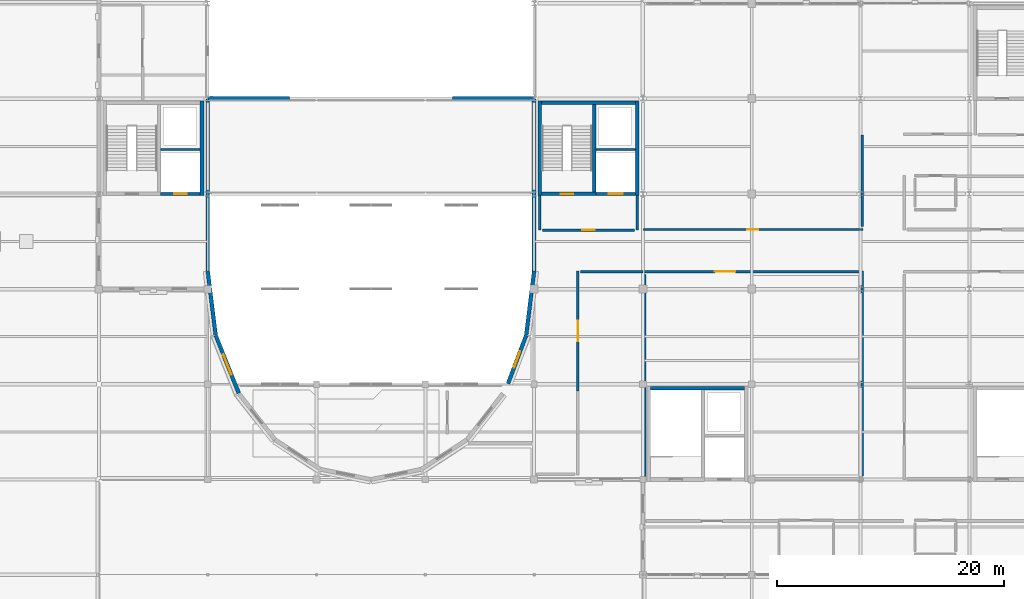
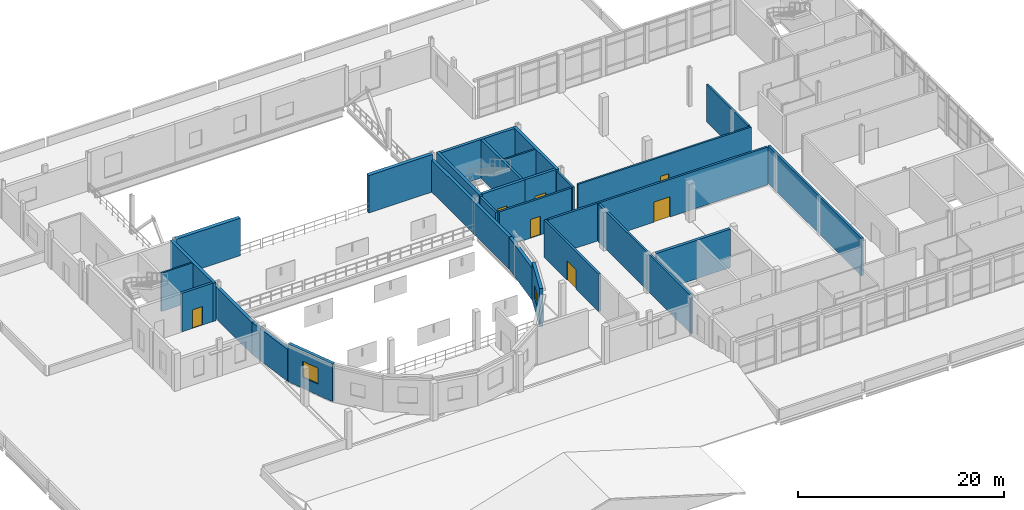
# One storey, part 41 of 52: 29 walls, 7 doors, 2 windows, 9 openings.
"""IFC4 building model written with IfcOpenShell, lengths in metres."""

from ifc_helpers import new_model, si_unit, direction, frame, frame_2d, origin, place, context, subcontext, project, spatial, rectangle, extrude, material, layer, layer_set, type_object, element, fill, save


model = new_model("IFC4")

# Units and contexts
model_context = context("Model", 3, precision=1e-05, world=origin(), true_north=direction((0.0, 1.0)))
body_context = subcontext(model_context, "Body", "Model", "MODEL_VIEW")
ifc_project = project(units=[si_unit("LENGTHUNIT", "METRE"), si_unit("AREAUNIT", "SQUARE_METRE"), si_unit("VOLUMEUNIT", "CUBIC_METRE"), si_unit("PLANEANGLEUNIT", "RADIAN"), si_unit("MASSUNIT", "GRAM", prefix="KILO")], contexts=[model_context])

# Site, building, storey
site_placement = place(None, origin())
site = spatial("IfcSite", under=ifc_project, at=site_placement, CompositionType="ELEMENT")
building_placement = place(site_placement, origin())
building = spatial("IfcBuilding", under=site, at=building_placement, Name="Lornevale Opera House", CompositionType="ELEMENT")
storey_placement = place(building_placement, frame((0.0, 0.0, 15.0)))
storey = spatial("IfcBuildingStorey", under=building, at=storey_placement, Name="L04", CompositionType="ELEMENT", Elevation=15.0)

# Walls
ifc_material_1 = material(Name="Concrete 40 MPa (CSA A23.1 C-1)", Category="concrete")
ifc_layer_1 = layer(ifc_material_1, 0.320068359375)
ifc_layer_set_1 = layer_set([ifc_layer_1], Name="Concrete 40 MPa (CSA A23.1 C-1)")
wall_type_1 = type_object("IfcWallType", Name="Core Shear Wall 320", PredefinedType="SHEAR", material=ifc_layer_set_1)
wall_1_placement = place(storey_placement, frame((114.5400390625, 41.639892578125, 0.0), z_axis=(0.0, 0.0, 1.0), x_axis=(-1.0, 0.0, 0.0)))
element("IfcWall", 1, at=wall_1_placement, inside=storey, type_object=wall_type_1, Name="South-East Foyer Core Core Shear Wall 320 WL-COR-0073", PredefinedType="SHEAR", context=body_context, shape_type="SweptSolid", body=[
    extrude(rectangle(XDim=8.280029296875, YDim=0.320068359375, at=frame_2d((4.14013671875, 0.0))), origin(), (0.0, 0.0, 1.0), 4.56005859375),
])
wall_2_placement = place(storey_placement, frame((66.699951171875, 58.639892578125, 0.0), z_axis=(0.0, 0.0, 1.0), x_axis=(0.0, 1.0, 0.0)))
element("IfcWall", 2, at=wall_2_placement, inside=storey, type_object=wall_type_1, Name="Auditorium West Tier Core Core Shear Wall 320 WL-COR-0187", PredefinedType="SHEAR", context=body_context, shape_type="SweptSolid", body=[
    extrude(rectangle(XDim=8.360107421875, YDim=0.320068359375, at=frame_2d((4.18017578125, 0.0))), origin(), (0.0, 0.0, 1.0), 4.56005859375),
])

# Wall, opening, door
wall_3_placement = place(storey_placement, frame((96.659912109375, 58.800048828125, 0.0), z_axis=(0.0, 0.0, 1.0), x_axis=(1.0, 0.0, 0.0)))
wall_3 = element("IfcWall", 3, at=wall_3_placement, inside=storey, type_object=wall_type_1, Name="Stagehouse Firefighter Core West Core Shear Wall 320 WL-COR-0232", PredefinedType="SHEAR", context=body_context, shape_type="SweptSolid", body=[
    extrude(rectangle(XDim=4.780029296875, YDim=0.320068359375, at=frame_2d((2.39013671875, 0.0))), origin(), (0.0, 0.0, 1.0), 4.56005859375),
])
opening_1_placement = place(wall_3_placement, frame((1.68994140625, 0.0, 0.0)))
opening_1 = element("IfcOpeningElement", 4, at=opening_1_placement, cuts=wall_3, Name="Opening DR-T11", PredefinedType="OPENING", context=body_context, shape_type="SweptSolid", body=[
    extrude(rectangle(XDim=1.10009765625, YDim=2.199951171875, at=frame_2d((0.550048828125, 1.10009765625))), frame((0.0, 0.169921875, 0.0), z_axis=(0.0, -1.0, 0.0), x_axis=(1.0, 0.0, 0.0)), (0.0, 0.0, 1.0), 0.340087890625),
])
ifc_material_2 = material(Name="Painted Hollow Metal Door Steel", Category="steel")
ifc_layer_2 = layer(ifc_material_2, 2.199951171875)
ifc_layer_set_2 = layer_set([ifc_layer_2], Name="Painted Hollow Metal Door Steel")
door_type_1 = type_object("IfcDoorType", Name="Protected Exit Stair Door R 1100x2200", OperationType="NOTDEFINED", PredefinedType="DOOR", material=ifc_layer_set_2)
door_1_placement = place(opening_1_placement, origin())
door_1 = element("IfcDoor", 5, at=door_1_placement, inside=storey, type_object=door_type_1, Name="C6 Stair Door L04", OperationType="SINGLE_SWING_RIGHT", OverallHeight=2.199951171875, OverallWidth=1.10009765625, PredefinedType="DOOR", context=body_context, shape_type="SweptSolid", body=[
    extrude(rectangle(XDim=1.10009765625, YDim=2.199951171875, at=frame_2d((0.550048828125, 1.10009765625))), frame((0.0, 0.02490234375, 0.0), z_axis=(0.0, -1.0, 0.0), x_axis=(1.0, 0.0, 0.0)), (0.0, 0.0, 1.0), 0.050048828125),
])
fill(opening_1, door_1)

# Walls
wall_4_placement = place(storey_placement, frame((104.93994140625, 66.840087890625, 0.0), z_axis=(0.0, 0.0, 1.0), x_axis=(-1.0, 0.0, 0.0)))
element("IfcWall", 6, at=wall_4_placement, inside=storey, type_object=wall_type_1, Name="Stagehouse Firefighter Core West Core Shear Wall 320 WL-COR-0234", PredefinedType="SHEAR", context=body_context, shape_type="SweptSolid", body=[
    extrude(rectangle(XDim=8.280029296875, YDim=0.320068359375, at=frame_2d((4.14013671875, 0.0))), origin(), (0.0, 0.0, 1.0), 4.56005859375),
])
for number, where, z_axis, x_axis, name in (
    (7, (96.5, 67.0, 0.0), (0.0, 0.0, 1.0), (0.0, -1.0, 0.0), "Stagehouse Firefighter Core West Core Shear Wall 320 WL-COR-0235"),
    (8, (105.10009765625, 58.639892578125, 0.0), (0.0, 0.0, 1.0), (0.0, 1.0, 0.0), "Stagehouse Firefighter Core West Core Shear Wall 320 WL-COR-0236"),
):
    element("IfcWall", number, at=place(storey_placement, frame(where, z_axis=z_axis, x_axis=x_axis)), inside=storey, type_object=wall_type_1, Name=name, PredefinedType="SHEAR", context=body_context, shape_type="SweptSolid", body=[
        extrude(rectangle(XDim=8.360107421875, YDim=0.320068359375, at=frame_2d((4.18017578125, 0.0))), origin(), (0.0, 0.0, 1.0), 4.56005859375),
    ])

# Wall, opening, door
ifc_layer_3 = layer(ifc_material_1, 0.280029296875)
ifc_layer_set_3 = layer_set([ifc_layer_3], Name="Concrete 40 MPa (CSA A23.1 C-1)")
wall_type_2 = type_object("IfcWallType", Name="Elevator Shaft Wall 280", PredefinedType="SHEAR", material=ifc_layer_set_3)
wall_5_placement = place(storey_placement, frame((63.0400390625, 58.800048828125, 0.0), z_axis=(0.0, 0.0, 1.0), x_axis=(1.0, 0.0, 0.0)))
wall_5 = element("IfcWall", 9, at=wall_5_placement, inside=storey, type_object=wall_type_2, Name="Auditorium West Tier Core Elevator Shaft Wall 280 WL-COR-0184", PredefinedType="SHEAR", context=body_context, shape_type="SweptSolid", body=[
    extrude(rectangle(XDim=3.5, YDim=0.280029296875, at=frame_2d((1.75, 0.0))), origin(), (0.0, 0.0, 1.0), 4.56005859375),
])
opening_2_placement = place(wall_5_placement, frame((1.2099609375, 0.0, 0.0)))
opening_2 = element("IfcOpeningElement", 10, at=opening_2_placement, cuts=wall_5, Name="Opening DR-T25", PredefinedType="OPENING", context=body_context, shape_type="SweptSolid", body=[
    extrude(rectangle(XDim=1.10009765625, YDim=2.199951171875, at=frame_2d((0.550048828125, 1.10009765625))), frame((0.0, 0.14990234375, 0.0), z_axis=(0.0, -1.0, 0.0), x_axis=(1.0, 0.0, 0.0)), (0.0, 0.0, 1.0), 0.300048828125),
])
ifc_layer_4 = layer(ifc_material_2, 2.199951171875)
ifc_layer_set_4 = layer_set([ifc_layer_4], Name="Painted Hollow Metal Door Steel")
door_type_2 = type_object("IfcDoorType", Name="Passenger Lift Landing Door 1100x2200", OperationType="NOTDEFINED", PredefinedType="DOOR", material=ifc_layer_set_4)
door_2_placement = place(opening_2_placement, origin())
door_2 = element("IfcDoor", 11, at=door_2_placement, inside=storey, type_object=door_type_2, Name="L-P4 Landing Door L04", OperationType="SLIDING_TO_LEFT", OverallHeight=2.199951171875, OverallWidth=1.10009765625, PredefinedType="DOOR", context=body_context, shape_type="SweptSolid", body=[
    extrude(rectangle(XDim=1.10009765625, YDim=2.199951171875, at=frame_2d((0.550048828125, 1.10009765625))), frame((0.0, 0.02490234375, 0.0), z_axis=(0.0, -1.0, 0.0), x_axis=(1.0, 0.0, 0.0)), (0.0, 0.0, 1.0), 0.050048828125),
])
fill(opening_2, door_2)

wall_6_placement = place(storey_placement, frame((101.43994140625, 58.800048828125, 0.0), z_axis=(0.0, 0.0, 1.0), x_axis=(1.0, 0.0, 0.0)))
wall_6 = element("IfcWall", 12, at=wall_6_placement, inside=storey, type_object=wall_type_2, Name="Stagehouse Firefighter Core West Elevator Shaft Wall 280 WL-COR-0233", PredefinedType="SHEAR", context=body_context, shape_type="SweptSolid", body=[
    extrude(rectangle(XDim=3.5, YDim=0.280029296875, at=frame_2d((1.75, 0.0))), origin(), (0.0, 0.0, 1.0), 4.56005859375),
])
opening_3_placement = place(wall_6_placement, frame((1.159912109375, 0.0, 0.0)))
opening_3 = element("IfcOpeningElement", 13, at=opening_3_placement, cuts=wall_6, Name="Opening DR-T26", PredefinedType="OPENING", context=body_context, shape_type="SweptSolid", body=[
    extrude(rectangle(XDim=1.199951171875, YDim=2.199951171875, at=frame_2d((0.60009765625, 1.10009765625))), frame((0.0, 0.14990234375, 0.0), z_axis=(0.0, -1.0, 0.0), x_axis=(1.0, 0.0, 0.0)), (0.0, 0.0, 1.0), 0.300048828125),
])
ifc_layer_5 = layer(ifc_material_2, 2.199951171875)
ifc_layer_set_5 = layer_set([ifc_layer_5], Name="Painted Hollow Metal Door Steel")
door_type_3 = type_object("IfcDoorType", Name="Firefighter Lift Landing Door 1200x2200", OperationType="NOTDEFINED", PredefinedType="DOOR", material=ifc_layer_set_5)
door_3_placement = place(opening_3_placement, origin())
door_3 = element("IfcDoor", 14, at=door_3_placement, inside=storey, type_object=door_type_3, Name="L-FF1 Landing Door L04", OperationType="SLIDING_TO_RIGHT", OverallHeight=2.199951171875, OverallWidth=1.199951171875, PredefinedType="DOOR", context=body_context, shape_type="SweptSolid", body=[
    extrude(rectangle(XDim=1.199951171875, YDim=2.199951171875, at=frame_2d((0.60009765625, 1.10009765625))), frame((0.0, 0.02490234375, 0.0), z_axis=(0.0, -1.0, 0.0), x_axis=(1.0, 0.0, 0.0)), (0.0, 0.0, 1.0), 0.050048828125),
])
fill(opening_3, door_3)

# Walls
wall_7_placement = place(storey_placement, frame((101.300048828125, 58.9599609375, 0.0), z_axis=(0.0, 0.0, 1.0), x_axis=(0.0, 1.0, 0.0)))
element("IfcWall", 15, at=wall_7_placement, inside=storey, type_object=wall_type_2, Name="Stagehouse Firefighter Core West Elevator Shaft Wall 280 WL-COR-0237", PredefinedType="SHEAR", context=body_context, shape_type="SweptSolid", body=[
    extrude(rectangle(XDim=7.719970703125, YDim=0.280029296875, at=frame_2d((3.85986328125, 0.0))), origin(), (0.0, 0.0, 1.0), 4.56005859375),
])
ifc_material_3 = material(Name="Concrete 35 MPa (CSA A23.1 N)", Category="concrete")
ifc_layer_6 = layer(ifc_material_3, 0.219970703125)
ifc_layer_set_6 = layer_set([ifc_layer_6], Name="Concrete 35 MPa (CSA A23.1 N)")
wall_type_3 = type_object("IfcWallType", Name="Firefighter Vestibule Wall 220", PredefinedType="SOLIDWALL", material=ifc_layer_set_6)
for number, where, z_axis, x_axis, name in (
    (16, (96.5, 55.60009765625, 0.0), (0.0, 0.0, 1.0), (0.0, 1.0, 0.0), "C6 Vestibule West Wall WL-INT-0406"),
    (17, (105.10009765625, 55.60009765625, 0.0), (0.0, 0.0, 1.0), (0.0, 1.0, 0.0), "C6 Vestibule East Wall WL-INT-0407"),
):
    element("IfcWall", number, at=place(storey_placement, frame(where, z_axis=z_axis, x_axis=x_axis)), inside=storey, type_object=wall_type_3, Name=name, PredefinedType="SOLIDWALL", context=body_context, shape_type="SweptSolid", body=[
        extrude(rectangle(XDim=3.039794921875, YDim=0.219970703125, at=frame_2d((1.52001953125, 0.0))), origin(), (0.0, 0.0, 1.0), 4.320068359375),
    ])

# Wall, opening, door
wall_8_placement = place(storey_placement, frame((96.75, 55.60009765625, 0.0), z_axis=(0.0, 0.0, 1.0), x_axis=(1.0, 0.0, 0.0)))
wall_8 = element("IfcWall", 18, at=wall_8_placement, inside=storey, type_object=wall_type_3, Name="C6 Vestibule South Wall WL-INT-0408", PredefinedType="SOLIDWALL", context=body_context, shape_type="SweptSolid", body=[
    extrude(rectangle(XDim=8.10009765625, YDim=0.219970703125, at=frame_2d((4.050048828125, 0.0))), origin(), (0.0, 0.0, 1.0), 4.320068359375),
])
opening_4_placement = place(wall_8_placement, frame((3.5, 0.0, 0.0)))
opening_4 = element("IfcOpeningElement", 19, at=opening_4_placement, cuts=wall_8, Name="Opening DR-T13", PredefinedType="OPENING", context=body_context, shape_type="SweptSolid", body=[
    extrude(rectangle(XDim=1.10009765625, YDim=2.199951171875, at=frame_2d((0.550048828125, 1.10009765625))), frame((0.0, 0.119873046875, 0.0), z_axis=(0.0, -1.0, 0.0), x_axis=(1.0, 0.0, 0.0)), (0.0, 0.0, 1.0), 0.239990234375),
])
ifc_layer_7 = layer(ifc_material_2, 2.199951171875)
ifc_layer_set_7 = layer_set([ifc_layer_7], Name="Painted Hollow Metal Door Steel")
door_type_4 = type_object("IfcDoorType", Name="Firefighter Vestibule Door 1100x2200", OperationType="NOTDEFINED", PredefinedType="DOOR", material=ifc_layer_set_7)
door_4_placement = place(opening_4_placement, origin())
door_4 = element("IfcDoor", 20, at=door_4_placement, inside=storey, type_object=door_type_4, Name="C6 Firefighter Vestibule Door L04", OperationType="SINGLE_SWING_LEFT", OverallHeight=2.199951171875, OverallWidth=1.10009765625, PredefinedType="DOOR", context=body_context, shape_type="SweptSolid", body=[
    extrude(rectangle(XDim=1.10009765625, YDim=2.199951171875, at=frame_2d((0.550048828125, 1.10009765625))), frame((0.0, 0.02490234375, 0.0), z_axis=(0.0, -1.0, 0.0), x_axis=(1.0, 0.0, 0.0)), (0.0, 0.0, 1.0), 0.050048828125),
])
fill(opening_4, door_4)

# Walls
ifc_material_4 = material(Name="Credit Valley Sandstone Ashlar Masonry (25 MPa)", Category="masonry")
ifc_layer_8 = layer(ifc_material_4, 0.340087890625)
ifc_layer_set_8 = layer_set([ifc_layer_8], Name="Credit Valley Sandstone Ashlar Masonry (25 MPa)")
wall_type_4 = type_object("IfcWallType", Name="Polychrome Drum Cavity Wall 340", PredefinedType="SOLIDWALL", material=ifc_layer_set_8)
wall_9_placement = place(storey_placement, frame((67.199951171875, 67.169921875, 0.0), z_axis=(0.0, 0.0, 1.0), x_axis=(0.0, -1.0, 0.0)))
element("IfcWall", 21, at=wall_9_placement, inside=storey, type_object=wall_type_4, Name="Auditorium Horseshoe Drum Wall WL-DRM-0361", PredefinedType="SOLIDWALL", context=body_context, shape_type="SweptSolid", body=[
    extrude(rectangle(XDim=15.157958984375, YDim=0.340087890625, at=frame_2d((7.5791015625, 0.0))), origin(), (0.0, 0.0, 1.0), 3.777099609375),
])
wall_10_placement = place(storey_placement, frame((67.201416015625, 51.988037109375, 0.0), z_axis=(0.0, 0.0, 1.0), x_axis=(0.123065633968, -0.992398533723, 0.0)))
element("IfcWall", 22, at=wall_10_placement, inside=storey, type_object=wall_type_4, Name="Auditorium Horseshoe Drum Wall WL-DRM-0362", PredefinedType="SOLIDWALL", context=body_context, shape_type="SweptSolid", body=[
    extrude(rectangle(XDim=5.70556640625, YDim=0.340087890625, at=frame_2d((2.852783203125, 0.0))), origin(), (0.0, 0.0, 1.0), 3.777099609375),
])

# Wall, opening, window
wall_11_placement = place(storey_placement, frame((67.909423828125, 46.302978515625, 0.0), z_axis=(0.0, 0.0, 1.0), x_axis=(0.370349189815, -0.928892608219, 0.0)))
wall_11 = element("IfcWall", 23, at=wall_11_placement, inside=storey, type_object=wall_type_4, Name="Auditorium Horseshoe Drum Wall WL-DRM-0363", PredefinedType="SOLIDWALL", context=body_context, shape_type="SweptSolid", body=[
    extrude(rectangle(XDim=5.497802734375, YDim=0.340087890625, at=frame_2d((2.7490234375, 0.0))), origin(), (0.0, 0.0, 1.0), 4.47998046875),
])
opening_5_placement = place(wall_11_placement, frame((1.799072265625, 0.0, 1.300048828125)))
opening_5 = element("IfcOpeningElement", 24, at=opening_5_placement, cuts=wall_11, Name="Opening WN-T18", PredefinedType="OPENING", context=body_context, shape_type="SweptSolid", body=[
    extrude(rectangle(XDim=1.89990234375, YDim=1.89990234375, at=frame_2d((0.949951171875, 0.949951171875))), frame((0.0, 0.179931640625, 0.0), z_axis=(0.0, -1.0, 0.0), x_axis=(1.0, 0.0, 0.0)), (0.0, 0.0, 1.0), 0.360107421875),
])
ifc_material_5 = material(Name="Triple Low-E Insulated Glazing", Category="glass")
ifc_layer_9 = layer(ifc_material_5, 0.06005859375)
ifc_layer_set_9 = layer_set([ifc_layer_9], Name="Triple Low-E Insulated Glazing")
window_type_1 = type_object("IfcWindowType", Name="Postmodern Drum Ocular Window 1900x1900", PartitioningType="NOTDEFINED", PredefinedType="WINDOW", material=ifc_layer_set_9)
window_1_placement = place(opening_5_placement, origin())
window_1 = element("IfcWindow", 25, at=window_1_placement, inside=storey, type_object=window_type_1, Name="Postmodern Drum Ocular Window 1900x1900 WN-0160", OverallHeight=1.89990234375, OverallWidth=1.89990234375, PartitioningType="SINGLE_PANEL", PredefinedType="WINDOW", context=body_context, shape_type="SweptSolid", body=[
    extrude(rectangle(XDim=1.89990234375, YDim=1.89990234375, at=frame_2d((0.949951171875, 0.949951171875))), frame((0.0, 0.030029296875, 0.0), z_axis=(0.0, -1.0, 0.0), x_axis=(1.0, 0.0, 0.0)), (0.0, 0.0, 1.0), 0.06005859375),
])
fill(opening_5, window_1)

wall_12_placement = place(storey_placement, frame((93.694091796875, 42.061279296875, 0.0), z_axis=(0.0, 0.0, 1.0), x_axis=(0.352309775432, 0.935883444738, 0.0)))
wall_12 = element("IfcWall", 26, at=wall_12_placement, inside=storey, type_object=wall_type_4, Name="Auditorium Horseshoe Drum Wall WL-DRM-0370", PredefinedType="SOLIDWALL", context=body_context, shape_type="SweptSolid", body=[
    extrude(rectangle(XDim=4.531982421875, YDim=0.340087890625, at=frame_2d((2.26611328125, 0.0))), origin(), (0.0, 0.0, 1.0), 4.47998046875),
])
opening_6_placement = place(wall_12_placement, frame((1.51611328125, 0.0, 1.300048828125)))
opening_6 = element("IfcOpeningElement", 27, at=opening_6_placement, cuts=wall_12, Name="Opening WN-T17", PredefinedType="OPENING", context=body_context, shape_type="SweptSolid", body=[
    extrude(rectangle(XDim=1.5, YDim=1.5, at=frame_2d((0.75, 0.75))), frame((0.0, 0.179931640625, 0.0), z_axis=(0.0, -1.0, 0.0), x_axis=(1.0, 0.0, 0.0)), (0.0, 0.0, 1.0), 0.360107421875),
])
ifc_layer_10 = layer(ifc_material_5, 0.06005859375)
ifc_layer_set_10 = layer_set([ifc_layer_10], Name="Triple Low-E Insulated Glazing")
window_type_2 = type_object("IfcWindowType", Name="Postmodern Drum Ocular Window 1500x1500", PartitioningType="NOTDEFINED", PredefinedType="WINDOW", material=ifc_layer_set_10)
window_2_placement = place(opening_6_placement, origin())
window_2 = element("IfcWindow", 28, at=window_2_placement, inside=storey, type_object=window_type_2, Name="Postmodern Drum Ocular Window 1500x1500 WN-0167", OverallHeight=1.5, OverallWidth=1.5, PartitioningType="SINGLE_PANEL", PredefinedType="WINDOW", context=body_context, shape_type="SweptSolid", body=[
    extrude(rectangle(XDim=1.5, YDim=1.5, at=frame_2d((0.75, 0.75))), frame((0.0, 0.030029296875, 0.0), z_axis=(0.0, -1.0, 0.0), x_axis=(1.0, 0.0, 0.0)), (0.0, 0.0, 1.0), 0.06005859375),
])
fill(opening_6, window_2)

# Walls
wall_13_placement = place(storey_placement, frame((95.29638671875, 46.325927734375, 0.0), z_axis=(0.0, 0.0, 1.0), x_axis=(0.123065633968, 0.992398533723, 0.0)))
element("IfcWall", 29, at=wall_13_placement, inside=storey, type_object=wall_type_4, Name="Auditorium Horseshoe Drum Wall WL-DRM-0371", PredefinedType="SOLIDWALL", context=body_context, shape_type="SweptSolid", body=[
    extrude(rectangle(XDim=5.70556640625, YDim=0.340087890625, at=frame_2d((2.852783203125, 0.0))), origin(), (0.0, 0.0, 1.0), 3.777099609375),
])
wall_14_placement = place(storey_placement, frame((96.0, 52.011962890625, 0.0), z_axis=(0.0, 0.0, 1.0), x_axis=(0.0, 1.0, 0.0)))
element("IfcWall", 30, at=wall_14_placement, inside=storey, type_object=wall_type_4, Name="Auditorium Horseshoe Drum Wall WL-DRM-0372", PredefinedType="SOLIDWALL", context=body_context, shape_type="SweptSolid", body=[
    extrude(rectangle(XDim=15.157958984375, YDim=0.340087890625, at=frame_2d((7.5791015625, 0.0))), origin(), (0.0, 0.0, 1.0), 3.777099609375),
])

# Wall, opening, door
ifc_material_6 = material(Name="Acoustic Mineral-Core Gypsum Partition", Category="gypsum")
ifc_layer_11 = layer(ifc_material_6, 0.199951171875)
ifc_layer_set_11 = layer_set([ifc_layer_11], Name="Acoustic Mineral-Core Gypsum Partition")
wall_type_5 = type_object("IfcWallType", Name="Practice Studio Double-Stud Wall 200", PredefinedType="SOLIDWALL", material=ifc_layer_set_11)
wall_15_placement = place(storey_placement, frame((105.60009765625, 55.659912109375, 0.0), z_axis=(0.0, 0.0, 1.0), x_axis=(1.0, 0.0, 0.0)))
wall_15 = element("IfcWall", 31, at=wall_15_placement, inside=storey, type_object=wall_type_5, Name="L04 Partition WL-INT-0872", PredefinedType="SOLIDWALL", context=body_context, shape_type="SweptSolid", body=[
    extrude(rectangle(XDim=19.39990234375, YDim=0.199951171875, at=frame_2d((9.699951171875, 0.0))), origin(), (0.0, 0.0, 1.0), 4.449951171875),
])
opening_7_placement = place(wall_15_placement, frame((9.22509765625, 0.0, 0.0)))
opening_7 = element("IfcOpeningElement", 32, at=opening_7_placement, cuts=wall_15, Name="Opening DR-T20", PredefinedType="OPENING", context=body_context, shape_type="SweptSolid", body=[
    extrude(rectangle(XDim=0.949951171875, YDim=2.14990234375, at=frame_2d((0.47509765625, 1.074951171875))), frame((0.0, 0.10986328125, 0.0), z_axis=(0.0, -1.0, 0.0), x_axis=(1.0, 0.0, 0.0)), (0.0, 0.0, 1.0), 0.219970703125),
])
ifc_material_7 = material(Name="White Oak Acoustic Panelling", Category="wood")
ifc_layer_12 = layer(ifc_material_7, 2.14990234375)
ifc_layer_set_12 = layer_set([ifc_layer_12], Name="White Oak Acoustic Panelling")
door_type_5 = type_object("IfcDoorType", Name="Soloist Dressing Door R 950x2150", OperationType="NOTDEFINED", PredefinedType="DOOR", material=ifc_layer_set_12)
door_5_placement = place(opening_7_placement, origin())
door_5 = element("IfcDoor", 33, at=door_5_placement, inside=storey, type_object=door_type_5, Name="Music Manuscript Library & Archive Door", OperationType="SINGLE_SWING_RIGHT", OverallHeight=2.14990234375, OverallWidth=0.949951171875, PredefinedType="DOOR", context=body_context, shape_type="SweptSolid", body=[
    extrude(rectangle(XDim=0.949951171875, YDim=2.14990234375, at=frame_2d((0.47509765625, 1.074951171875))), frame((0.0, 0.02490234375, 0.0), z_axis=(0.0, -1.0, 0.0), x_axis=(1.0, 0.0, 0.0)), (0.0, 0.0, 1.0), 0.050048828125),
])
fill(opening_7, door_5)

# Walls
wall_16_placement = place(storey_placement, frame((124.93994140625, 55.909912109375, 0.0), z_axis=(0.0, 0.0, 1.0), x_axis=(0.0, 1.0, 0.0)))
element("IfcWall", 34, at=wall_16_placement, inside=storey, type_object=wall_type_5, Name="L04 Partition WL-INT-0873", PredefinedType="SOLIDWALL", context=body_context, shape_type="SweptSolid", body=[
    extrude(rectangle(XDim=8.090087890625, YDim=0.199951171875, at=frame_2d((4.044921875, 0.0))), origin(), (0.0, 0.0, 1.0), 4.449951171875),
])
ifc_layer_13 = layer(ifc_material_1, 0.39990234375)
ifc_layer_set_13 = layer_set([ifc_layer_13], Name="Concrete 40 MPa (CSA A23.1 C-1)")
wall_type_6 = type_object("IfcWallType", Name="Proscenium Fire Wall 400", PredefinedType="SOLIDWALL", material=ifc_layer_set_13)
for number, where, z_axis, x_axis, name in (
    (35, (67.2099609375, 67.199951171875, 0.0), (0.0, 0.0, 1.0), (1.0, 0.0, 0.0), "Proscenium Fire Wall L04 0372"),
    (36, (88.800048828125, 67.199951171875, 0.0), (0.0, 0.0, 1.0), (1.0, 0.0, 0.0), "Proscenium Fire Wall L04 0373"),
):
    element("IfcWall", number, at=place(storey_placement, frame(where, z_axis=z_axis, x_axis=x_axis)), inside=storey, type_object=wall_type_6, Name=name, PredefinedType="SOLIDWALL", context=body_context, shape_type="SweptSolid", body=[
        extrude(rectangle(XDim=7.18994140625, YDim=0.39990234375, at=frame_2d((3.594970703125, 0.0))), origin(), (0.0, 0.0, 1.0), 4.43994140625),
    ])
ifc_layer_14 = layer(ifc_material_6, 0.22998046875)
ifc_layer_set_14 = layer_set([ifc_layer_14], Name="Acoustic Mineral-Core Gypsum Partition")
wall_type_7 = type_object("IfcWallType", Name="Rehearsal Studio Acoustic Wall 230", PredefinedType="SOLIDWALL", material=ifc_layer_set_14)
wall_17_placement = place(storey_placement, frame((124.93994140625, 33.909912109375, 0.0), z_axis=(0.0, 0.0, 1.0), x_axis=(0.0, 1.0, 0.0)))
element("IfcWall", 37, at=wall_17_placement, inside=storey, type_object=wall_type_7, Name="L04 Partition WL-INT-0868", PredefinedType="SOLIDWALL", context=body_context, shape_type="SweptSolid", body=[
    extrude(rectangle(XDim=18.090087890625, YDim=0.22998046875, at=frame_2d((9.044921875, 0.0))), origin(), (0.0, 0.0, 1.0), 4.449951171875),
])

# Wall, opening, door
wall_18_placement = place(storey_placement, frame((105.60009765625, 51.93994140625, 0.0), z_axis=(0.0, 0.0, 1.0), x_axis=(1.0, 0.0, 0.0)))
wall_18 = element("IfcWall", 38, at=wall_18_placement, inside=storey, type_object=wall_type_7, Name="L04 Partition WL-INT-0869", PredefinedType="SOLIDWALL", context=body_context, shape_type="SweptSolid", body=[
    extrude(rectangle(XDim=19.08984375, YDim=0.22998046875, at=frame_2d((9.544921875, 0.0))), origin(), (0.0, 0.0, 1.0), 4.449951171875),
])
opening_8_placement = place(wall_18_placement, frame((6.35400390625, 0.0, 0.0)))
opening_8 = element("IfcOpeningElement", 39, at=opening_8_placement, cuts=wall_18, Name="Opening DR-T18", PredefinedType="OPENING", context=body_context, shape_type="SweptSolid", body=[
    extrude(rectangle(XDim=1.800048828125, YDim=2.39990234375, at=frame_2d((0.89990234375, 1.199951171875))), frame((0.0, 0.125, 0.0), z_axis=(0.0, -1.0, 0.0), x_axis=(1.0, 0.0, 0.0)), (0.0, 0.0, 1.0), 0.25),
])
ifc_layer_15 = layer(ifc_material_7, 2.39990234375)
ifc_layer_set_15 = layer_set([ifc_layer_15], Name="White Oak Acoustic Panelling")
door_type_6 = type_object("IfcDoorType", Name="Rehearsal Studio Pair 1800x2400", OperationType="NOTDEFINED", PredefinedType="DOOR", material=ifc_layer_set_15)
door_6_placement = place(opening_8_placement, origin())
door_6 = element("IfcDoor", 40, at=door_6_placement, inside=storey, type_object=door_type_6, Name="Ballet Rehearsal Studio Door", OperationType="DOUBLE_SWING_LEFT", OverallHeight=2.39990234375, OverallWidth=1.800048828125, PredefinedType="DOOR", context=body_context, shape_type="SweptSolid", body=[
    extrude(rectangle(XDim=1.800048828125, YDim=2.39990234375, at=frame_2d((0.89990234375, 1.199951171875))), frame((0.0, 0.02490234375, 0.0), z_axis=(0.0, -1.0, 0.0), x_axis=(1.0, 0.0, 0.0)), (0.0, 0.0, 1.0), 0.050048828125),
])
fill(opening_8, door_6)

wall_19_placement = place(storey_placement, frame((99.860107421875, 41.39990234375, 0.0), z_axis=(0.0, 0.0, 1.0), x_axis=(0.0, 1.0, 0.0)))
wall_19 = element("IfcWall", 41, at=wall_19_placement, inside=storey, type_object=wall_type_7, Name="L04 Partition WL-INT-0879", PredefinedType="SOLIDWALL", context=body_context, shape_type="SweptSolid", body=[
    extrude(rectangle(XDim=10.60009765625, YDim=0.22998046875, at=frame_2d((5.300048828125, 0.0))), origin(), (0.0, 0.0, 1.0), 4.449951171875),
])
opening_9_placement = place(wall_19_placement, frame((4.39990234375, 0.0, 0.0)))
opening_9 = element("IfcOpeningElement", 42, at=opening_9_placement, cuts=wall_19, Name="Opening DR-T15", PredefinedType="OPENING", context=body_context, shape_type="SweptSolid", body=[
    extrude(rectangle(XDim=1.800048828125, YDim=2.300048828125, at=frame_2d((0.89990234375, 1.14990234375))), frame((0.0, 0.125, 0.0), z_axis=(0.0, -1.0, 0.0), x_axis=(1.0, 0.0, 0.0)), (0.0, 0.0, 1.0), 0.25),
])
ifc_layer_16 = layer(ifc_material_7, 2.300048828125)
ifc_layer_set_16 = layer_set([ifc_layer_16], Name="White Oak Acoustic Panelling")
door_type_7 = type_object("IfcDoorType", Name="Chamber Hall Acoustic Pair 1800x2300", OperationType="NOTDEFINED", PredefinedType="DOOR", material=ifc_layer_set_16)
door_7_placement = place(opening_9_placement, origin())
door_7 = element("IfcDoor", 43, at=door_7_placement, inside=storey, type_object=door_type_7, Name="Chamber Theory Seminar Studio Door", OperationType="DOUBLE_SWING_LEFT", OverallHeight=2.300048828125, OverallWidth=1.800048828125, PredefinedType="DOOR", context=body_context, shape_type="SweptSolid", body=[
    extrude(rectangle(XDim=1.800048828125, YDim=2.300048828125, at=frame_2d((0.89990234375, 1.14990234375))), frame((0.0, 0.02490234375, 0.0), z_axis=(0.0, -1.0, 0.0), x_axis=(1.0, 0.0, 0.0)), (0.0, 0.0, 1.0), 0.050048828125),
])
fill(opening_9, door_7)

# Walls
wall_20_placement = place(storey_placement, frame((100.110107421875, 51.93994140625, 0.0), z_axis=(0.0, 0.0, 1.0), x_axis=(1.0, 0.0, 0.0)))
element("IfcWall", 44, at=wall_20_placement, inside=storey, type_object=wall_type_7, Name="L04 Partition WL-INT-0883", PredefinedType="SOLIDWALL", context=body_context, shape_type="SweptSolid", body=[
    extrude(rectangle(XDim=5.489990234375, YDim=0.22998046875, at=frame_2d((2.7451171875, 0.0))), origin(), (0.0, 0.0, 1.0), 4.449951171875),
])
wall_21_placement = place(storey_placement, frame((105.739990234375, 33.69091796875, 0.0), z_axis=(0.0, 0.0, 1.0), x_axis=(0.0, 1.0, 0.0)))
element("IfcWall", 45, at=wall_21_placement, inside=storey, type_object=wall_type_7, Name="L04 Partition WL-INT-0891", PredefinedType="SOLIDWALL", context=body_context, shape_type="SweptSolid", body=[
    extrude(rectangle(XDim=17.9990234375, YDim=0.22998046875, at=frame_2d((8.99951171875, 0.0))), origin(), (0.0, 0.0, 1.0), 4.47998046875),
])
ifc_material_8 = material(Name="Moisture-Resistant Ceramic & Gypsum Partition", Category="gypsum")
ifc_layer_17 = layer(ifc_material_8, 0.179931640625)
ifc_layer_set_17 = layer_set([ifc_layer_17], Name="Moisture-Resistant Ceramic & Gypsum Partition")
wall_type_8 = type_object("IfcWallType", Name="Riser Shaft Wall 180", PredefinedType="SOLIDWALL", material=ifc_layer_set_17)
for number, where, z_axis, x_axis, name in (
    (46, (63.0400390625, 62.699951171875, 0.0), (0.0, 0.0, 1.0), (1.0, 0.0, 0.0), "Auditorium West Tier Core Riser Shaft Wall 180 WL-COR-0189"),
    (47, (101.43994140625, 62.699951171875, 0.0), (0.0, 0.0, 1.0), (1.0, 0.0, 0.0), "Stagehouse Firefighter Core West Riser Shaft Wall 180 WL-COR-0238"),
):
    element("IfcWall", number, at=place(storey_placement, frame(where, z_axis=z_axis, x_axis=x_axis)), inside=storey, type_object=wall_type_8, Name=name, PredefinedType="SOLIDWALL", context=body_context, shape_type="SweptSolid", body=[
        extrude(rectangle(XDim=3.5, YDim=0.179931640625, at=frame_2d((1.75, 0.0))), origin(), (0.0, 0.0, 1.0), 4.56005859375),
    ])

save(model, "model.ifc")
